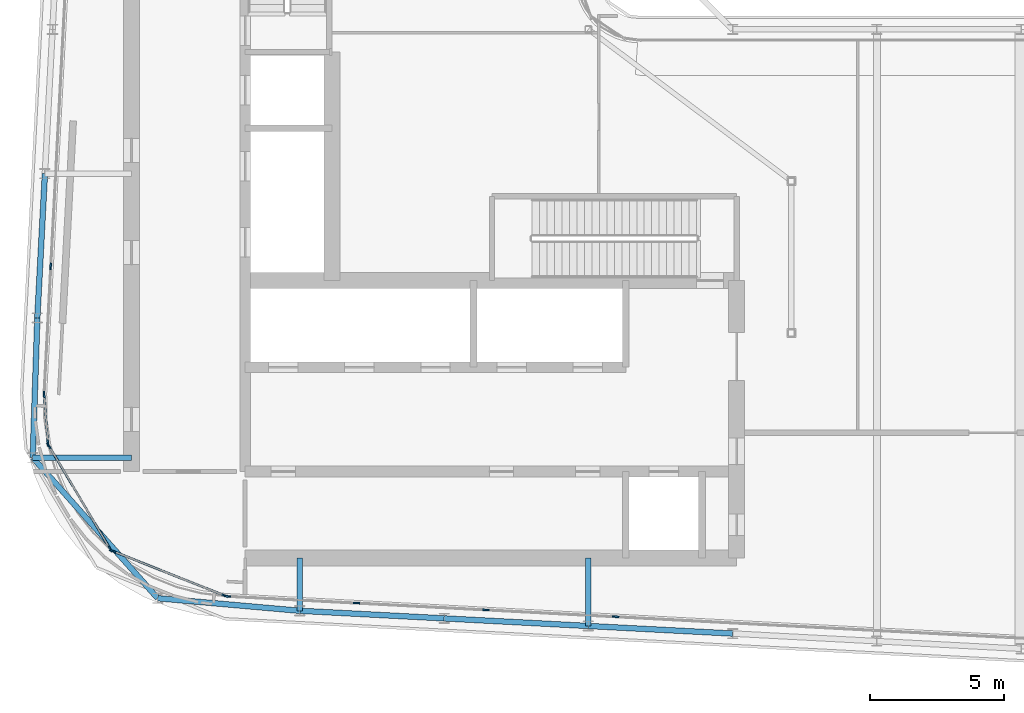
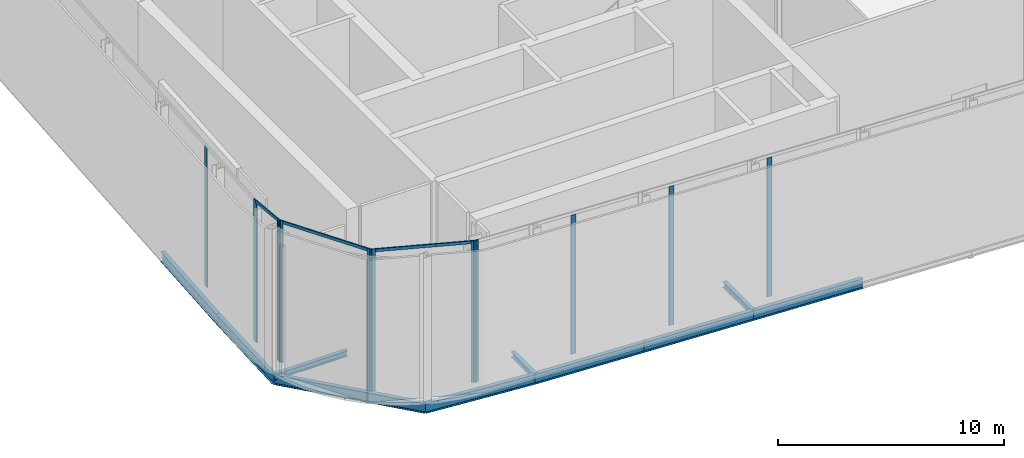
# One storey, part 5 of 28: 14 members, 10 beams, 5 elements without a shape of their own.
"""IFC4 building model written with IfcOpenShell, lengths in metres."""

from ifc_helpers import new_model, si_unit, direction, frame, origin, origin_2d, place, context, subcontext, project, spatial, rectangle, i_section, extrude, material, layer, layer_set, material_profile, profile_set, type_object, element, aggregate, save


model = new_model("IFC4")

# Units and contexts
model_context = context("Model", 3, precision=1e-05, world=origin(), true_north=direction((0.0, 1.0)))
body_context = subcontext(model_context, "Body", "Model", "MODEL_VIEW")
ifc_project = project(units=[si_unit("LENGTHUNIT", "METRE"), si_unit("AREAUNIT", "SQUARE_METRE"), si_unit("VOLUMEUNIT", "CUBIC_METRE"), si_unit("PLANEANGLEUNIT", "RADIAN"), si_unit("MASSUNIT", "GRAM", prefix="KILO")], contexts=[model_context])

# Site, building, storey
site_placement = place(None, origin())
site = spatial("IfcSite", under=ifc_project, at=site_placement, CompositionType="ELEMENT")
building_placement = place(site_placement, origin())
building = spatial("IfcBuilding", under=site, at=building_placement, Name="Kheshtan School and Residences Tower", CompositionType="ELEMENT")
storey_placement = place(building_placement, frame((0.0, 0.0, 325.39990234375)))
storey = spatial("IfcBuildingStorey", under=building, at=storey_placement, Name="L77", CompositionType="ELEMENT", Elevation=325.39990234375)

# Beams
ifc_material_1 = material(Name="Steel ASTM A992 Grade 50", Category="steel")
ifc_material_profile_1 = material_profile(ifc_material_1, i_section(OverallWidth=0.202880859375, OverallDepth=0.302978515625, WebThickness=0.007568359375, FlangeThickness=0.01318359375, FilletRadius=0.009033203125, at=origin_2d()), Name="W310x60")
ifc_profile_set_1 = profile_set([ifc_material_profile_1], Name="Steel ASTM A992 Grade 50")
beam_type_1 = type_object("IfcBeamType", Name="Beam FB1 W310x60 ASTM A992 Grade 50", PredefinedType="BEAM", material=ifc_profile_set_1)
beam_1_placement = place(storey_placement, frame((47.60009765625, 23.263916015625, -0.301513671875), z_axis=(0.0, 1.0, 0.0), x_axis=(-1.0, 0.0, 0.0)))
element("IfcBeam", 1, at=beam_1_placement, inside=storey, type_object=beam_type_1, Name="Floor beam C020", PredefinedType="BEAM", context=body_context, shape_type="SweptSolid", body=[
    extrude(i_section(OverallWidth=0.202880859375, OverallDepth=0.302978515625, WebThickness=0.007568359375, FlangeThickness=0.01318359375, FilletRadius=0.009033203125, at=origin_2d()), origin(), (0.0, 0.0, 1.0), 2.5361328125),
])
beam_2_placement = place(storey_placement, frame((36.800048828125, 23.83203125, -0.301513671875), z_axis=(0.0, 1.0, 0.0), x_axis=(-1.0, 0.0, 0.0)))
element("IfcBeam", 2, at=beam_2_placement, inside=storey, type_object=beam_type_1, Name="Floor beam C022", PredefinedType="BEAM", context=body_context, shape_type="SweptSolid", body=[
    extrude(i_section(OverallWidth=0.202880859375, OverallDepth=0.302978515625, WebThickness=0.007568359375, FlangeThickness=0.01318359375, FilletRadius=0.009033203125, at=origin_2d()), origin(), (0.0, 0.0, 1.0), 1.968017578125),
])
beam_3_placement = place(storey_placement, frame((26.797119140625, 29.56591796875, -0.301513671875), z_axis=(1.0, 0.0, 0.0), x_axis=(0.0, 1.0, 0.0)))
element("IfcBeam", 3, at=beam_3_placement, inside=storey, type_object=beam_type_1, Name="Floor beam C044", PredefinedType="BEAM", context=body_context, shape_type="SweptSolid", body=[
    extrude(i_section(OverallWidth=0.202880859375, OverallDepth=0.302978515625, WebThickness=0.007568359375, FlangeThickness=0.01318359375, FilletRadius=0.009033203125, at=origin_2d()), origin(), (0.0, 0.0, 1.0), 3.702880859375),
])
ifc_material_profile_2 = material_profile(ifc_material_1, i_section(OverallWidth=0.208984375, OverallDepth=0.532958984375, WebThickness=0.01025390625, FlangeThickness=0.015625, FilletRadius=0.013916015625, at=origin_2d()), Name="W530x92")
ifc_profile_set_2 = profile_set([ifc_material_profile_2], Name="Steel ASTM A992 Grade 50")
beam_type_2 = type_object("IfcBeamType", Name="Beam SP3 W530x92 ASTM A992 Grade 50", PredefinedType="BEAM", material=ifc_profile_set_2)
beam_4_placement = place(storey_placement, frame((53.0, 22.97998046875, -0.41650390625), z_axis=(-0.998620447272, 0.05250906864, 0.0), x_axis=(-0.05250906864, -0.998620447272, 0.0)))
element("IfcBeam", 4, at=beam_4_placement, inside=storey, type_object=beam_type_2, Name="Spandrel beam C019-C020", PredefinedType="BEAM", context=body_context, shape_type="SweptSolid", body=[
    extrude(i_section(OverallWidth=0.208984375, OverallDepth=0.532958984375, WebThickness=0.01025390625, FlangeThickness=0.015625, FilletRadius=0.013916015625, at=origin_2d()), origin(), (0.0, 0.0, 1.0), 5.407470703125),
])
beam_5_placement = place(storey_placement, frame((47.60009765625, 23.263916015625, -0.41650390625), z_axis=(-0.998618203458, 0.052551724256, 0.0), x_axis=(-0.052551724256, -0.998618203458, 0.0)))
element("IfcBeam", 5, at=beam_5_placement, inside=storey, type_object=beam_type_2, Name="Spandrel beam C020-C021", PredefinedType="BEAM", context=body_context, shape_type="SweptSolid", body=[
    extrude(i_section(OverallWidth=0.208984375, OverallDepth=0.532958984375, WebThickness=0.01025390625, FlangeThickness=0.015625, FilletRadius=0.013916015625, at=origin_2d()), origin(), (0.0, 0.0, 1.0), 5.40771484375),
])
beam_6_placement = place(storey_placement, frame((42.199951171875, 23.548095703125, -0.41650390625), z_axis=(-0.998620447272, 0.05250906864, 0.0), x_axis=(-0.05250906864, -0.998620447272, 0.0)))
element("IfcBeam", 6, at=beam_6_placement, inside=storey, type_object=beam_type_2, Name="Spandrel beam C021-C022", PredefinedType="BEAM", context=body_context, shape_type="SweptSolid", body=[
    extrude(i_section(OverallWidth=0.208984375, OverallDepth=0.532958984375, WebThickness=0.01025390625, FlangeThickness=0.015625, FilletRadius=0.013916015625, at=origin_2d()), origin(), (0.0, 0.0, 1.0), 5.407470703125),
])
beam_7_placement = place(storey_placement, frame((36.800048828125, 23.83203125, -0.41650390625), z_axis=(-0.996129262073, 0.087900473504, 0.0), x_axis=(-0.087900473504, -0.996129262073, 0.0)))
element("IfcBeam", 7, at=beam_7_placement, inside=storey, type_object=beam_type_2, Name="Spandrel beam C022-C031", PredefinedType="BEAM", context=body_context, shape_type="SweptSolid", body=[
    extrude(i_section(OverallWidth=0.208984375, OverallDepth=0.532958984375, WebThickness=0.01025390625, FlangeThickness=0.015625, FilletRadius=0.013916015625, at=origin_2d()), origin(), (0.0, 0.0, 1.0), 5.3466796875),
])
beam_8_placement = place(storey_placement, frame((31.47412109375, 24.302001953125, -0.41650390625), z_axis=(-0.664202421408, 0.747552769639, 0.0), x_axis=(-0.747552769639, -0.664202421408, 0.0)))
element("IfcBeam", 8, at=beam_8_placement, inside=storey, type_object=beam_type_2, Name="Spandrel beam C031-C044", PredefinedType="BEAM", context=body_context, shape_type="SweptSolid", body=[
    extrude(i_section(OverallWidth=0.208984375, OverallDepth=0.532958984375, WebThickness=0.01025390625, FlangeThickness=0.015625, FilletRadius=0.013916015625, at=origin_2d()), origin(), (0.0, 0.0, 1.0), 7.04150390625),
])
beam_9_placement = place(storey_placement, frame((26.797119140625, 29.56591796875, -0.41650390625), z_axis=(0.032819662671, 0.999461289767, 0.0), x_axis=(-0.999461289767, 0.032819662671, 0.0)))
element("IfcBeam", 9, at=beam_9_placement, inside=storey, type_object=beam_type_2, Name="Spandrel beam C044-C052", PredefinedType="BEAM", context=body_context, shape_type="SweptSolid", body=[
    extrude(i_section(OverallWidth=0.208984375, OverallDepth=0.532958984375, WebThickness=0.01025390625, FlangeThickness=0.015625, FilletRadius=0.013916015625, at=origin_2d()), origin(), (0.0, 0.0, 1.0), 5.237060546875),
])
beam_10_placement = place(storey_placement, frame((26.968994140625, 34.800048828125, -0.41650390625), z_axis=(0.05250906864, 0.998620447272, 0.0), x_axis=(-0.998620447272, 0.05250906864, 0.0)))
element("IfcBeam", 10, at=beam_10_placement, inside=storey, type_object=beam_type_2, Name="Spandrel beam C052-C056", PredefinedType="BEAM", context=body_context, shape_type="SweptSolid", body=[
    extrude(i_section(OverallWidth=0.208984375, OverallDepth=0.532958984375, WebThickness=0.01025390625, FlangeThickness=0.015625, FilletRadius=0.013916015625, at=origin_2d()), origin(), (0.0, 0.0, 1.0), 5.407470703125),
])

# Curtain wall, members
ifc_material_2 = material(Name="Clear low-e glass in thermally broken aluminium frame", Category="aluminium")
ifc_layer = layer(ifc_material_2, 0.25)
ifc_layer_set = layer_set([ifc_layer], Name="Curtain wall CW-K")
curtain_wall_type = type_object("IfcCurtainWallType", Name="Curtain wall CW-K", PredefinedType="NOTDEFINED", material=ifc_layer_set)
curtain_wall_1_placement = place(storey_placement, origin())
curtain_wall_1 = element("IfcCurtainWall", 11, at=curtain_wall_1_placement, inside=storey, type_object=curtain_wall_type, Name="Curtain wall CWK2b", PredefinedType="NOTDEFINED")
ifc_material_3 = material(Name="Thermally broken aluminium, dark bronze anodised", Category="aluminium")
ifc_material_profile_3 = material_profile(ifc_material_3, rectangle(XDim=0.06005859375, YDim=0.25, at=origin_2d()), Name="CW-K mullion 60x250")
ifc_profile_set_3 = profile_set([ifc_material_profile_3], Name="Thermally broken aluminium, dark bronze anodised")
member_type_1 = type_object("IfcMemberType", Name="CW-K mullion 60x250", PredefinedType="MULLION", material=ifc_profile_set_3)
member_1_placement = place(storey_placement, frame((48.6201171875, 23.6103515625, 0.0), z_axis=(0.0, 0.0, 1.0), x_axis=(-0.052588147164, -0.998616286057, 0.0)))
member_1 = element("IfcMember", 12, at=member_1_placement, type_object=member_type_1, Name="CWK2b mullion 5", PredefinedType="MULLION", context=body_context, shape_type="SweptSolid", body=[
    extrude(rectangle(XDim=0.06005859375, YDim=0.25, at=origin_2d()), origin(), (0.0, 0.0, 1.0), 7.489990234375),
])
member_2_placement = place(storey_placement, frame((43.76708984375, 23.865966796875, 0.0), z_axis=(0.0, 0.0, 1.0), x_axis=(-0.052588147164, -0.998616286057, 0.0)))
member_2 = element("IfcMember", 13, at=member_2_placement, type_object=member_type_1, Name="CWK2b mullion 6", PredefinedType="MULLION", context=body_context, shape_type="SweptSolid", body=[
    extrude(rectangle(XDim=0.06005859375, YDim=0.25, at=origin_2d()), origin(), (0.0, 0.0, 1.0), 7.489990234375),
])
member_3_placement = place(storey_placement, frame((38.913818359375, 24.12158203125, 0.0), z_axis=(0.0, 0.0, 1.0), x_axis=(-0.052588147164, -0.998616286057, 0.0)))
member_3 = element("IfcMember", 14, at=member_3_placement, type_object=member_type_1, Name="CWK2b mullion 7", PredefinedType="MULLION", context=body_context, shape_type="SweptSolid", body=[
    extrude(rectangle(XDim=0.06005859375, YDim=0.25, at=origin_2d()), origin(), (0.0, 0.0, 1.0), 7.489990234375),
])
member_4_placement = place(storey_placement, frame((34.0908203125, 24.37548828125, 0.0), z_axis=(0.0, 0.0, 1.0), x_axis=(-0.052588147164, -0.998616286057, 0.0)))
member_4 = element("IfcMember", 15, at=member_4_placement, type_object=member_type_1, Name="CWK2b mullion 8", PredefinedType="MULLION", context=body_context, shape_type="SweptSolid", body=[
    extrude(rectangle(XDim=0.06005859375, YDim=0.25, at=origin_2d()), origin(), (0.0, 0.0, 1.0), 7.650146484375),
])
aggregate(curtain_wall_1, [member_1, member_2, member_3, member_4])

curtain_wall_2_placement = place(storey_placement, origin())
curtain_wall_2 = element("IfcCurtainWall", 16, at=curtain_wall_2_placement, inside=storey, type_object=curtain_wall_type, Name="Curtain wall CWK3b", PredefinedType="NOTDEFINED")
member_5_placement = place(storey_placement, frame((34.001220703125, 24.39501953125, 0.0), z_axis=(0.0, 0.0, 1.0), x_axis=(-0.369099336022, -0.929389950531, 0.0)))
member_5 = element("IfcMember", 17, at=member_5_placement, type_object=member_type_1, Name="CWK3b mullion 1", PredefinedType="MULLION", context=body_context, shape_type="SweptSolid", body=[
    extrude(rectangle(XDim=0.06005859375, YDim=0.25, at=origin_2d()), origin(), (0.0, 0.0, 1.0), 7.650146484375),
])
member_6_placement = place(storey_placement, frame((29.7890625, 26.06787109375, 0.0), z_axis=(0.0, 0.0, 1.0), x_axis=(-0.369099336022, -0.929389950531, 0.0)))
member_6 = element("IfcMember", 18, at=member_6_placement, type_object=member_type_1, Name="CWK3b mullion 2", PredefinedType="MULLION", context=body_context, shape_type="SweptSolid", body=[
    extrude(rectangle(XDim=0.06005859375, YDim=0.25, at=origin_2d()), origin(), (0.0, 0.0, 1.0), 7.650146484375),
])

curtain_wall_3_placement = place(storey_placement, origin())
curtain_wall_3 = element("IfcCurtainWall", 19, at=curtain_wall_3_placement, inside=storey, type_object=curtain_wall_type, Name="Curtain wall CWK4b", PredefinedType="NOTDEFINED")
member_7_placement = place(storey_placement, frame((29.69677734375, 26.146728515625, 0.0), z_axis=(0.0, 0.0, 1.0), x_axis=(-0.85953588802, -0.511075392878, 0.0)))
member_7 = element("IfcMember", 20, at=member_7_placement, type_object=member_type_1, Name="CWK4b mullion 1", PredefinedType="MULLION", context=body_context, shape_type="SweptSolid", body=[
    extrude(rectangle(XDim=0.06005859375, YDim=0.25, at=origin_2d()), origin(), (0.0, 0.0, 1.0), 7.650146484375),
])
member_8_placement = place(storey_placement, frame((27.395263671875, 30.01708984375, 0.0), z_axis=(0.0, 0.0, 1.0), x_axis=(-0.85953588802, -0.511075392878, 0.0)))
member_8 = element("IfcMember", 21, at=member_8_placement, type_object=member_type_1, Name="CWK4b mullion 2", PredefinedType="MULLION", context=body_context, shape_type="SweptSolid", body=[
    extrude(rectangle(XDim=0.06005859375, YDim=0.25, at=origin_2d()), origin(), (0.0, 0.0, 1.0), 7.650146484375),
])

curtain_wall_4_placement = place(storey_placement, origin())
curtain_wall_4 = element("IfcCurtainWall", 22, at=curtain_wall_4_placement, inside=storey, type_object=curtain_wall_type, Name="Curtain wall CWK5a", PredefinedType="NOTDEFINED")
member_9_placement = place(storey_placement, frame((27.364013671875, 30.1162109375, 0.0), z_axis=(0.0, 0.0, 1.0), x_axis=(-0.996988506678, -0.077549452299, 0.0)))
member_9 = element("IfcMember", 23, at=member_9_placement, type_object=member_type_1, Name="CWK5a mullion 1", PredefinedType="MULLION", context=body_context, shape_type="SweptSolid", body=[
    extrude(rectangle(XDim=0.06005859375, YDim=0.25, at=origin_2d()), origin(), (0.0, 0.0, 1.0), 7.650146484375),
])
member_10_placement = place(storey_placement, frame((27.22265625, 31.933349609375, 0.0), z_axis=(0.0, 0.0, 1.0), x_axis=(-0.996988506678, -0.077549452299, 0.0)))
member_10 = element("IfcMember", 24, at=member_10_placement, type_object=member_type_1, Name="CWK5a mullion 2", PredefinedType="MULLION", context=body_context, shape_type="SweptSolid", body=[
    extrude(rectangle(XDim=0.06005859375, YDim=0.25, at=origin_2d()), origin(), (0.0, 0.0, 1.0), 7.650146484375),
])

# Curtain wall, member
curtain_wall_5_placement = place(storey_placement, origin())
curtain_wall_5 = element("IfcCurtainWall", 25, at=curtain_wall_5_placement, inside=storey, type_object=curtain_wall_type, Name="Curtain wall CWK6b", PredefinedType="NOTDEFINED")
member_11_placement = place(storey_placement, frame((27.47021484375, 36.728515625, 0.0), z_axis=(0.0, 0.0, 1.0), x_axis=(-0.998617497599, 0.05256513568, 0.0)))
member_11 = element("IfcMember", 26, at=member_11_placement, type_object=member_type_1, Name="CWK6b mullion 2", PredefinedType="MULLION", context=body_context, shape_type="SweptSolid", body=[
    extrude(rectangle(XDim=0.06005859375, YDim=0.25, at=origin_2d()), origin(), (0.0, 0.0, 1.0), 7.489990234375),
])
aggregate(curtain_wall_5, [member_11])

# Member
ifc_material_profile_4 = material_profile(ifc_material_3, rectangle(XDim=0.06005859375, YDim=0.159912109375, at=origin_2d()), Name="CW-K transom 60x160")
ifc_profile_set_4 = profile_set([ifc_material_profile_4], Name="Thermally broken aluminium, dark bronze anodised")
member_type_2 = type_object("IfcMemberType", Name="CW-K transom 60x160", PredefinedType="USERDEFINED", material=ifc_profile_set_4)
member_12_placement = place(storey_placement, frame((33.973388671875, 24.40625, 7.570068359375), z_axis=(-0.929396211553, 0.369083570415, 0.0), x_axis=(-0.369083570415, -0.929396211553, 0.0)))
member_12 = element("IfcMember", 27, at=member_12_placement, type_object=member_type_2, Name="CWK3b transom 1", ObjectType="TRANSOM", PredefinedType="USERDEFINED", context=body_context, shape_type="SweptSolid", body=[
    extrude(rectangle(XDim=0.06005859375, YDim=0.159912109375, at=origin_2d()), origin(), (0.0, 0.0, 1.0), 4.47216796875),
])

aggregate(curtain_wall_2, [member_5, member_6, member_12])

member_13_placement = place(storey_placement, frame((29.681396484375, 26.17236328125, 7.570068359375), z_axis=(-0.511089656668, 0.859527406688, 0.0), x_axis=(-0.859527406688, -0.511089656668, 0.0)))
member_13 = element("IfcMember", 28, at=member_13_placement, type_object=member_type_2, Name="CWK4b transom 1", ObjectType="TRANSOM", PredefinedType="USERDEFINED", context=body_context, shape_type="SweptSolid", body=[
    extrude(rectangle(XDim=0.06005859375, YDim=0.159912109375, at=origin_2d()), origin(), (0.0, 0.0, 1.0), 4.44287109375),
])

aggregate(curtain_wall_3, [member_7, member_8, member_13])

member_14_placement = place(storey_placement, frame((27.361572265625, 30.14599609375, 7.570068359375), z_axis=(-0.077565002269, 0.996987297022, 0.0), x_axis=(-0.996987297022, -0.077565002269, 0.0)))
member_14 = element("IfcMember", 29, at=member_14_placement, type_object=member_type_2, Name="CWK5a transom 1", ObjectType="TRANSOM", PredefinedType="USERDEFINED", context=body_context, shape_type="SweptSolid", body=[
    extrude(rectangle(XDim=0.06005859375, YDim=0.159912109375, at=origin_2d()), origin(), (0.0, 0.0, 1.0), 1.7626953125),
])

aggregate(curtain_wall_4, [member_9, member_10, member_14])

save(model, "model.ifc")
